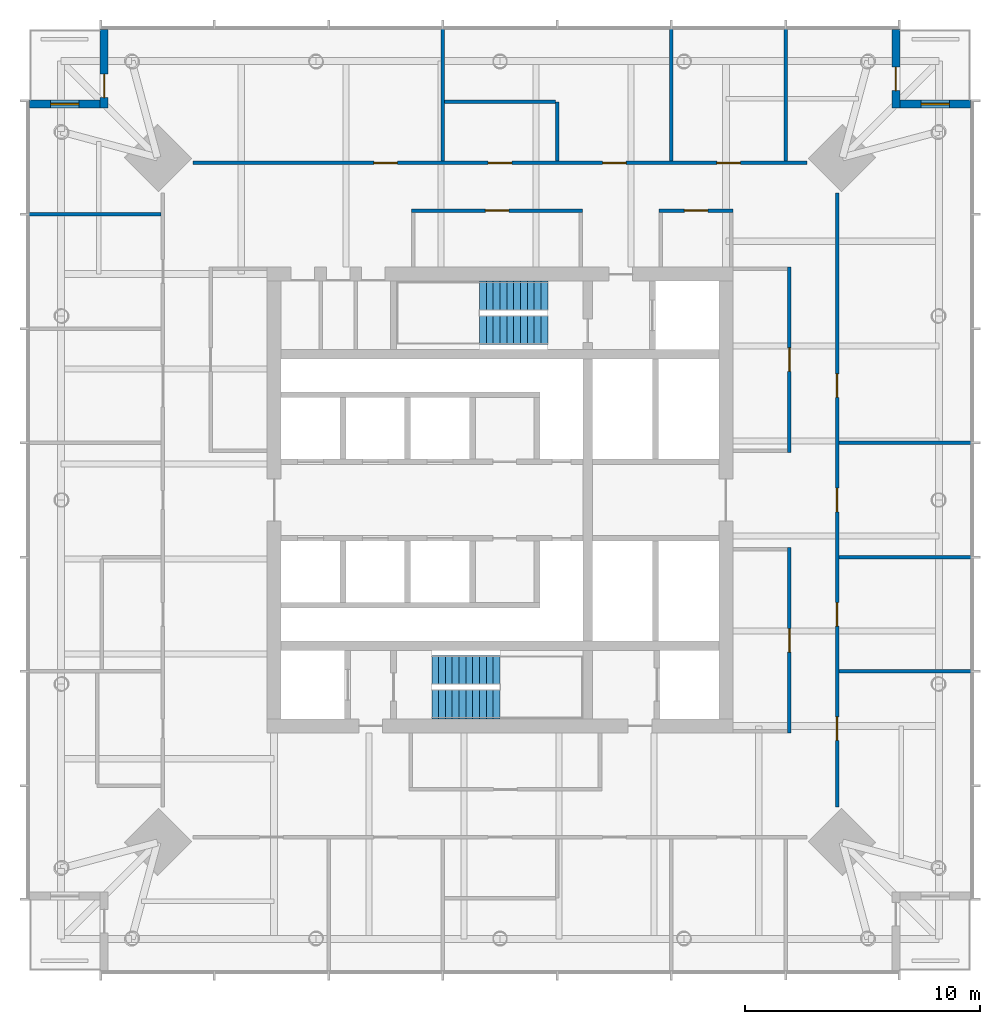
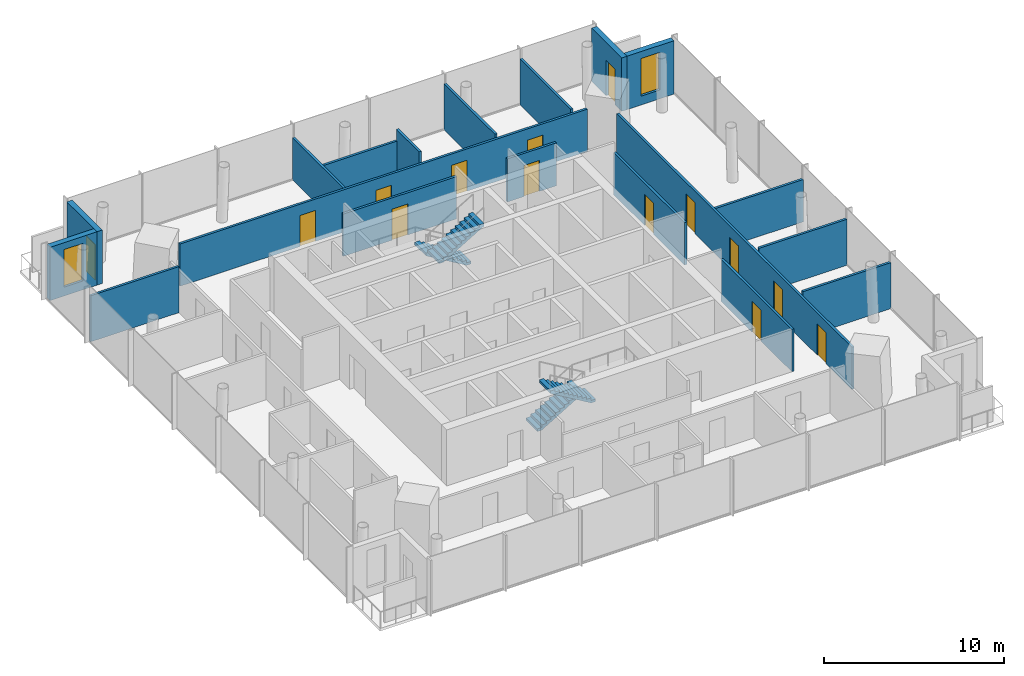
# One storey, part 6 of 7: 19 walls, 14 doors, 4 stair flights, 2 windows, 16 openings, 2 elements without a shape of their own.
"""IFC4 building model written with IfcOpenShell, lengths in metres."""

import ifcopenshell
import ifcopenshell.guid

model = None  # the IFC model being written
_history = None  # IfcOwnerHistory: only IFC2X3 demands one
_inside = {}  # id of a spatial element -> (the spatial element, [elements in it])
_under = {}  # id of a project, library or spatial element -> (it, [spatial elements below it])
_declared = {}  # id of a project -> (the project, [libraries it declares])
_typed = {}  # id of a type object -> (the type object, [elements of that type])
_made_of = {}  # id of a material, layer set ... -> (it, [elements and type objects made of it])


def new_model(schema):
    """Start an empty IFC model of exactly this schema.

    Asked for "IFC4X3", IfcOpenShell would pick the latest addendum, in which some entities
    have other attributes; the version numbers below select the first issue.
    IFC2X3 requires an IfcOwnerHistory on every rooted entity: one is made here for all.
    """
    global model, _history
    if schema == "IFC4X3":
        model = ifcopenshell.file(schema_version=(4, 3, 0, 0))
    else:
        model = ifcopenshell.file(schema=schema)
    _inside.clear()
    _under.clear()
    _declared.clear()
    _typed.clear()
    _made_of.clear()
    _history = None
    if model.schema == "IFC2X3":
        org = make("IfcOrganization", Name="unknown")
        user = make(
            "IfcPersonAndOrganization",
            ThePerson=make("IfcPerson", FamilyName="unknown"),
            TheOrganization=org,
        )
        app = make(
            "IfcApplication",
            ApplicationDeveloper=org,
            Version="unknown",
            ApplicationFullName="unknown",
            ApplicationIdentifier="unknown",
        )
        _history = make(
            "IfcOwnerHistory",
            OwningUser=user,
            OwningApplication=app,
            ChangeAction="ADDED",
            CreationDate=0,
        )
    return model


def make(cls, **values):
    """One entity of the class cls with the attributes given. An attribute that is None is left unset."""
    return model.create_entity(
        cls, **{name: value for name, value in values.items() if value is not None}
    )


def rooted(cls, **values):
    """An entity with a GlobalId (a new one), such as an element, a storey or a relation."""
    return make(cls, GlobalId=ifcopenshell.guid.new(), OwnerHistory=_history, **values)


def si_unit(unit_type, name, prefix=None):
    """IfcSIUnit, for example si_unit("LENGTHUNIT", "METRE", prefix="MILLI")."""
    return make("IfcSIUnit", UnitType=unit_type, Prefix=prefix, Name=name)


def assignment(units):
    """IfcUnitAssignment: the units of a project."""
    return None if units is None else make("IfcUnitAssignment", Units=units)


def point(xyz):
    """IfcCartesianPoint."""
    return None if xyz is None else make("IfcCartesianPoint", Coordinates=xyz)


def direction(xyz):
    """IfcDirection."""
    return None if xyz is None else make("IfcDirection", DirectionRatios=xyz)


def frame(location, z_axis=None, x_axis=None):
    """IfcAxis2Placement3D, a coordinate frame: its origin and axes. An axis left out is left unset."""
    return make(
        "IfcAxis2Placement3D",
        Location=point(location),
        Axis=direction(z_axis),
        RefDirection=direction(x_axis),
    )


def frame_2d(location, x_axis=None):
    """IfcAxis2Placement2D, a coordinate frame in the plane: its origin and x axis."""
    return make(
        "IfcAxis2Placement2D", Location=point(location), RefDirection=direction(x_axis)
    )


def origin():
    """The frame at (0, 0, 0) with its axes left unset."""
    return frame((0.0, 0.0, 0.0))


def place(relative_to, where):
    """IfcLocalPlacement: puts the frame where relative to a parent placement (None: the world)."""
    return make(
        "IfcLocalPlacement", PlacementRelTo=relative_to, RelativePlacement=where
    )


def context(
    kind, dimensions, precision=None, world=None, true_north=None, identifier=None
):
    """IfcGeometricRepresentationContext, for example the 3D "Model" context."""
    return make(
        "IfcGeometricRepresentationContext",
        ContextIdentifier=identifier,
        ContextType=kind,
        CoordinateSpaceDimension=dimensions,
        Precision=precision,
        WorldCoordinateSystem=world,
        TrueNorth=true_north,
    )


def subcontext(parent, identifier, kind, view, scale=None):
    """IfcGeometricRepresentationSubContext, for example "Body" below "Model"."""
    return make(
        "IfcGeometricRepresentationSubContext",
        ContextIdentifier=identifier,
        ContextType=kind,
        ParentContext=parent,
        TargetScale=scale,
        TargetView=view,
    )


def project(units=None, contexts=None):
    """IfcProject with its units and contexts."""
    return rooted(
        "IfcProject",
        Name="project",
        RepresentationContexts=contexts,
        UnitsInContext=assignment(units),
    )


def spatial(cls, under=None, at=None, **own):
    """A site, building, storey or space (cls), placed at a placement, below another one or the project."""
    s = rooted(cls, ObjectPlacement=at, **own)
    if under is not None:
        _under.setdefault(under.id(), (under, []))[1].append(s)
    return s


def polyline(points):
    """IfcPolyline through the points."""
    return make("IfcPolyline", Points=[point(p) for p in points])


def profile(cls, at=None, kind="AREA", **sizes):
    """A parametric profile (cls). Its sizes go by their IFC names, for example OverallWidth=200.0."""
    return make(cls, ProfileType=kind, Position=at, **sizes)


def rectangle(**sizes):
    """IfcRectangleProfileDef."""
    return profile("IfcRectangleProfileDef", **sizes)


def outline(outer, holes=None, kind="AREA"):
    """IfcArbitraryClosedProfileDef: a profile drawn as a closed curve; with holes, ...WithVoids."""
    if holes is None:
        return make("IfcArbitraryClosedProfileDef", ProfileType=kind, OuterCurve=outer)
    return make(
        "IfcArbitraryProfileDefWithVoids",
        ProfileType=kind,
        OuterCurve=outer,
        InnerCurves=holes,
    )


def extrude(swept, where, along, depth):
    """IfcExtrudedAreaSolid: the profile swept, set in the frame where, extruded along a direction by depth."""
    return make(
        "IfcExtrudedAreaSolid",
        SweptArea=swept,
        Position=where,
        ExtrudedDirection=direction(along),
        Depth=depth,
    )


def shape(context_of_items, identifier, shape_type, items):
    """IfcShapeRepresentation: the items that make up one representation, for example the "Body"."""
    return make(
        "IfcShapeRepresentation",
        ContextOfItems=context_of_items,
        RepresentationIdentifier=identifier,
        RepresentationType=shape_type,
        Items=items,
    )


def material(Name=None, Category=None):
    """IfcMaterial."""
    return make("IfcMaterial", Name=Name, Category=Category)


def layer(
    of_material, thickness, ventilated=None, Name=None, Category=None, Priority=None
):
    """IfcMaterialLayer: one layer of a wall or slab, of a material (None: an air gap)."""
    return make(
        "IfcMaterialLayer",
        Material=of_material,
        LayerThickness=thickness,
        IsVentilated=ventilated,
        Name=Name,
        Category=Category,
        Priority=Priority,
    )


def layer_set(layers, Name=None):
    """IfcMaterialLayerSet."""
    return make("IfcMaterialLayerSet", MaterialLayers=layers, LayerSetName=Name)


def made_of(thing, what):
    """Note that an element or type object is made of a material, layer set ...; save() writes the relation."""
    if what is not None:
        _made_of.setdefault(what.id(), (what, []))[1].append(thing)
    return thing


def type_object(cls, material=None, **own):
    """A type object (cls), such as IfcWallType, which elements share."""
    return made_of(rooted(cls, **own), material)


def element(
    cls,
    number,
    at=None,
    inside=None,
    cuts=None,
    type_object=None,
    material=None,
    context=None,
    identifier="Body",
    shape_type=None,
    held_by="IfcProductDefinitionShape",
    body=None,
    shapes=None,
    **own,
):
    """One element of the class cls, such as IfcWall. Its Tag is "e" and its number.

    at: its placement. inside: the storey or other place that contains it. cuts: it is an
    opening in that element (IfcRelVoidsElement). A single representation is given by context,
    identifier, shape_type and body (its items); several are given by shapes. held_by: the class
    of the entity that holds the representations. save() writes the other relations.
    """
    e = rooted(cls, Tag="e%d" % number, ObjectPlacement=at, **own)
    if body is not None:
        shapes = [shape(context, identifier, shape_type, body)]
    if shapes is not None:
        e.Representation = make(held_by, Representations=shapes)
    if inside is not None:
        _inside.setdefault(inside.id(), (inside, []))[1].append(e)
    if cuts is not None:
        rooted(
            "IfcRelVoidsElement", RelatingBuildingElement=cuts, RelatedOpeningElement=e
        )
    if type_object is not None:
        _typed.setdefault(type_object.id(), (type_object, []))[1].append(e)
    return made_of(e, material)


def fill(opening, filler):
    """IfcRelFillsElement: the door or window that sits in an opening."""
    return rooted(
        "IfcRelFillsElement",
        RelatingOpeningElement=opening,
        RelatedBuildingElement=filler,
    )


def aggregate(whole, parts):
    """IfcRelAggregates: a whole, such as a stair, and the parts it consists of."""
    return rooted("IfcRelAggregates", RelatingObject=whole, RelatedObjects=parts)


def save(model, path):
    """Write the relations noted so far, then the file.

    IfcRelAggregates (storeys below a building ...), IfcRelContainedInSpatialStructure (elements
    in a storey), IfcRelDefinesByType, IfcRelAssociatesMaterial and IfcRelDeclares: one each for
    every whole, place, type object, material and project.
    """
    for whole, parts in _under.values():
        aggregate(whole, parts)
    for where, things in _inside.values():
        rooted(
            "IfcRelContainedInSpatialStructure",
            RelatedElements=things,
            RelatingStructure=where,
        )
    for kind, things in _typed.values():
        rooted("IfcRelDefinesByType", RelatedObjects=things, RelatingType=kind)
    for what, things in _made_of.values():
        rooted("IfcRelAssociatesMaterial", RelatedObjects=things, RelatingMaterial=what)
    for by, libraries in _declared.values():
        rooted("IfcRelDeclares", RelatingContext=by, RelatedDefinitions=libraries)
    model.write(path)


model = new_model("IFC4")

# Units and contexts
model_context = context("Model", 3, precision=1e-05, world=origin(), true_north=direction((0.0, 1.0)))
body_context = subcontext(model_context, "Body", "Model", "MODEL_VIEW")
ifc_project = project(units=[si_unit("LENGTHUNIT", "METRE"), si_unit("AREAUNIT", "SQUARE_METRE"), si_unit("VOLUMEUNIT", "CUBIC_METRE"), si_unit("PLANEANGLEUNIT", "RADIAN"), si_unit("MASSUNIT", "GRAM", prefix="KILO")], contexts=[model_context])

# Site, building, storey
site_placement = place(None, origin())
site = spatial("IfcSite", under=ifc_project, at=site_placement, CompositionType="ELEMENT")
building_placement = place(site_placement, origin())
building = spatial("IfcBuilding", under=site, at=building_placement, Name="Ostroluk Exchange", CompositionType="ELEMENT")
storey_placement = place(building_placement, frame((0.0, 0.0, 188.199951171875)))
storey = spatial("IfcBuildingStorey", under=building, at=storey_placement, Name="L48", CompositionType="ELEMENT", Elevation=188.199951171875)

# Wall, opening, door
ifc_material_1 = material(Name="Limestone", Category="masonry")
ifc_layer_1 = layer(ifc_material_1, 0.35009765625)
ifc_layer_set_1 = layer_set([ifc_layer_1], Name="Limestone facade wall 350")
wall_type_1 = type_object("IfcWallType", Name="Limestone facade wall 350", PredefinedType="SOLIDWALL", material=ifc_layer_set_1)
wall_1_placement = place(storey_placement, frame((61.824951171875, 66.0, 0.0), z_axis=(0.0, 0.0, 1.0), x_axis=(0.0, -1.0, 0.0)))
wall_1 = element("IfcWall", 1, at=wall_1_placement, inside=storey, type_object=wall_type_1, Name="Office tower NE corner wall L48 a", PredefinedType="SOLIDWALL", context=body_context, shape_type="SweptSolid", body=[
    extrude(rectangle(XDim=3.35009765625, YDim=0.35009765625, at=frame_2d((1.675048828125, 0.0))), origin(), (0.0, 0.0, 1.0), 3.6201171875),
])
opening_1_placement = place(wall_1_placement, frame((1.60009765625, 0.0, 0.0)))
opening_1 = element("IfcOpeningElement", 2, at=opening_1_placement, cuts=wall_1, Name="Opening D-B1", PredefinedType="OPENING", context=body_context, shape_type="SweptSolid", body=[
    extrude(rectangle(XDim=1.0, YDim=2.39990234375, at=frame_2d((0.5, 1.199951171875))), frame((0.0, 0.18505859375, 0.0), z_axis=(0.0, -1.0, 0.0), x_axis=(1.0, 0.0, 0.0)), (0.0, 0.0, 1.0), 0.3701171875),
])
ifc_material_2 = material(Name="Bronze framed glazed door", Category="aluminium")
door_type_1 = type_object("IfcDoorType", Name="Balcony door 1000 x 2400", OperationType="SINGLE_SWING_LEFT", PredefinedType="DOOR", material=ifc_material_2)
door_1_placement = place(opening_1_placement, origin())
door_1 = element("IfcDoor", 3, at=door_1_placement, inside=storey, type_object=door_type_1, Name="Office tower NE balcony door L48", OperationType="SINGLE_SWING_RIGHT", OverallHeight=2.39990234375, OverallWidth=1.0, PredefinedType="DOOR", context=body_context, shape_type="SweptSolid", body=[
    extrude(rectangle(XDim=1.0, YDim=2.39990234375, at=frame_2d((0.5, 1.199951171875))), frame((0.0, 0.02490234375, 0.0), z_axis=(0.0, -1.0, 0.0), x_axis=(1.0, 0.0, 0.0)), (0.0, 0.0, 1.0), 0.050048828125),
])
fill(opening_1, door_1)

# Wall, opening, window
wall_2_placement = place(storey_placement, frame((62.0, 62.824951171875, 0.0), z_axis=(0.0, 0.0, 1.0), x_axis=(1.0, 0.0, 0.0)))
wall_2 = element("IfcWall", 4, at=wall_2_placement, inside=storey, type_object=wall_type_1, Name="Office tower NE corner wall L48 b", PredefinedType="SOLIDWALL", context=body_context, shape_type="SweptSolid", body=[
    extrude(rectangle(XDim=3.0, YDim=0.35009765625, at=frame_2d((1.5, 0.0))), origin(), (0.0, 0.0, 1.0), 3.6201171875),
])
opening_2_placement = place(wall_2_placement, frame((0.89990234375, 0.0, 0.60009765625)))
opening_2 = element("IfcOpeningElement", 5, at=opening_2_placement, cuts=wall_2, Name="Opening WN-L1", PredefinedType="OPENING", context=body_context, shape_type="SweptSolid", body=[
    extrude(rectangle(XDim=1.199951171875, YDim=2.550048828125, at=frame_2d((0.60009765625, 1.27490234375))), frame((0.0, 0.18505859375, 0.0), z_axis=(0.0, -1.0, 0.0), x_axis=(1.0, 0.0, 0.0)), (0.0, 0.0, 1.0), 0.3701171875),
])
ifc_material_3 = material(Name="Laminated clear glass", Category="glass")
window_type = type_object("IfcWindowType", Name="Lancet window 1200 x 2550", PartitioningType="SINGLE_PANEL", PredefinedType="WINDOW", material=ifc_material_3)
window_1_placement = place(opening_2_placement, origin())
window_1 = element("IfcWindow", 6, at=window_1_placement, inside=storey, type_object=window_type, Name="Office tower NE lancet window L48", OverallHeight=2.550048828125, OverallWidth=1.199951171875, PartitioningType="SINGLE_PANEL", PredefinedType="WINDOW", context=body_context, shape_type="SweptSolid", body=[
    extrude(rectangle(XDim=1.199951171875, YDim=2.550048828125, at=frame_2d((0.60009765625, 1.27490234375))), frame((0.0, 0.030029296875, 0.0), z_axis=(0.0, -1.0, 0.0), x_axis=(1.0, 0.0, 0.0)), (0.0, 0.0, 1.0), 0.06005859375),
])
fill(opening_2, window_1)

# Wall, opening, door
wall_3_placement = place(storey_placement, frame((28.175048828125, 66.0, 0.0), z_axis=(0.0, 0.0, 1.0), x_axis=(0.0, -1.0, 0.0)))
wall_3 = element("IfcWall", 7, at=wall_3_placement, inside=storey, type_object=wall_type_1, Name="Office tower NW corner wall L48 a", PredefinedType="SOLIDWALL", context=body_context, shape_type="SweptSolid", body=[
    extrude(rectangle(XDim=3.35009765625, YDim=0.35009765625, at=frame_2d((1.675048828125, 0.0))), origin(), (0.0, 0.0, 1.0), 3.6201171875),
])
opening_3_placement = place(wall_3_placement, frame((1.89990234375, 0.0, 0.0)))
opening_3 = element("IfcOpeningElement", 8, at=opening_3_placement, cuts=wall_3, Name="Opening D-B1", PredefinedType="OPENING", context=body_context, shape_type="SweptSolid", body=[
    extrude(rectangle(XDim=1.0, YDim=2.39990234375, at=frame_2d((0.5, 1.199951171875))), frame((0.0, 0.18505859375, 0.0), z_axis=(0.0, -1.0, 0.0), x_axis=(1.0, 0.0, 0.0)), (0.0, 0.0, 1.0), 0.3701171875),
])
door_2_placement = place(opening_3_placement, origin())
door_2 = element("IfcDoor", 9, at=door_2_placement, inside=storey, type_object=door_type_1, Name="Office tower NW balcony door L48", OperationType="SINGLE_SWING_RIGHT", OverallHeight=2.39990234375, OverallWidth=1.0, PredefinedType="DOOR", context=body_context, shape_type="SweptSolid", body=[
    extrude(rectangle(XDim=1.0, YDim=2.39990234375, at=frame_2d((0.5, 1.199951171875))), frame((0.0, 0.02490234375, 0.0), z_axis=(0.0, -1.0, 0.0), x_axis=(1.0, 0.0, 0.0)), (0.0, 0.0, 1.0), 0.050048828125),
])
fill(opening_3, door_2)

# Wall, opening, window
wall_4_placement = place(storey_placement, frame((28.0, 62.824951171875, 0.0), z_axis=(0.0, 0.0, 1.0), x_axis=(-1.0, 0.0, 0.0)))
wall_4 = element("IfcWall", 10, at=wall_4_placement, inside=storey, type_object=wall_type_1, Name="Office tower NW corner wall L48 b", PredefinedType="SOLIDWALL", context=body_context, shape_type="SweptSolid", body=[
    extrude(rectangle(XDim=3.0, YDim=0.35009765625, at=frame_2d((1.5, 0.0))), origin(), (0.0, 0.0, 1.0), 3.6201171875),
])
opening_4_placement = place(wall_4_placement, frame((0.89990234375, 0.0, 0.60009765625)))
opening_4 = element("IfcOpeningElement", 11, at=opening_4_placement, cuts=wall_4, Name="Opening WN-L1", PredefinedType="OPENING", context=body_context, shape_type="SweptSolid", body=[
    extrude(rectangle(XDim=1.199951171875, YDim=2.550048828125, at=frame_2d((0.60009765625, 1.27490234375))), frame((0.0, 0.18505859375, 0.0), z_axis=(0.0, -1.0, 0.0), x_axis=(1.0, 0.0, 0.0)), (0.0, 0.0, 1.0), 0.3701171875),
])
window_2_placement = place(opening_4_placement, origin())
window_2 = element("IfcWindow", 12, at=window_2_placement, inside=storey, type_object=window_type, Name="Office tower NW lancet window L48", OverallHeight=2.550048828125, OverallWidth=1.199951171875, PartitioningType="SINGLE_PANEL", PredefinedType="WINDOW", context=body_context, shape_type="SweptSolid", body=[
    extrude(rectangle(XDim=1.199951171875, YDim=2.550048828125, at=frame_2d((0.60009765625, 1.27490234375))), frame((0.0, 0.030029296875, 0.0), z_axis=(0.0, -1.0, 0.0), x_axis=(1.0, 0.0, 0.0)), (0.0, 0.0, 1.0), 0.06005859375),
])
fill(opening_4, window_2)

# Wall, opening, door
ifc_material_4 = material(Name="Gypsum plasterboard partition", Category="gypsum")
ifc_layer_2 = layer(ifc_material_4, 0.14990234375)
ifc_layer_set_2 = layer_set([ifc_layer_2], Name="Plasterboard partition 150")
wall_type_2 = type_object("IfcWallType", Name="Plasterboard partition 150", PredefinedType="PARTITIONING", material=ifc_layer_set_2)
wall_5_placement = place(storey_placement, frame((57.300048828125, 36.10009765625, 0.0), z_axis=(0.0, 0.0, 1.0), x_axis=(0.0, 1.0, 0.0)))
wall_5 = element("IfcWall", 13, at=wall_5_placement, inside=storey, type_object=wall_type_2, Name="Partition", PredefinedType="PARTITIONING", context=body_context, shape_type="SweptSolid", body=[
    extrude(rectangle(XDim=7.875, YDim=0.14990234375, at=frame_2d((3.9375, 0.0))), origin(), (0.0, 0.0, 1.0), 2.866943359375),
])
opening_5_placement = place(wall_5_placement, frame((3.4375, 0.0, 0.0)))
opening_5 = element("IfcOpeningElement", 14, at=opening_5_placement, cuts=wall_5, Name="Opening D-03", PredefinedType="OPENING", context=body_context, shape_type="SweptSolid", body=[
    extrude(rectangle(XDim=1.0, YDim=2.10009765625, at=frame_2d((0.5, 1.050048828125))), frame((0.0, 0.0849609375, 0.0), z_axis=(0.0, -1.0, 0.0), x_axis=(1.0, 0.0, 0.0)), (0.0, 0.0, 1.0), 0.169921875),
])
ifc_material_5 = material(Name="Timber", Category="wood")
door_type_2 = type_object("IfcDoorType", Name="Internal door 1000 x 2100", OperationType="SINGLE_SWING_LEFT", PredefinedType="DOOR", material=ifc_material_5)
door_3_placement = place(opening_5_placement, origin())
door_3 = element("IfcDoor", 15, at=door_3_placement, inside=storey, type_object=door_type_2, Name="Tea point door", OperationType="SINGLE_SWING_LEFT", OverallHeight=2.10009765625, OverallWidth=1.0, PredefinedType="DOOR", context=body_context, shape_type="SweptSolid", body=[
    extrude(rectangle(XDim=1.0, YDim=2.10009765625, at=frame_2d((0.5, 1.050048828125))), frame((0.0, 0.02490234375, 0.0), z_axis=(0.0, -1.0, 0.0), x_axis=(1.0, 0.0, 0.0)), (0.0, 0.0, 1.0), 0.050048828125),
])
fill(opening_5, door_3)

wall_6_placement = place(storey_placement, frame((57.300048828125, 48.02490234375, 0.0), z_axis=(0.0, 0.0, 1.0), x_axis=(0.0, 1.0, 0.0)))
wall_6 = element("IfcWall", 16, at=wall_6_placement, inside=storey, type_object=wall_type_2, Name="Partition", PredefinedType="PARTITIONING", context=body_context, shape_type="SweptSolid", body=[
    extrude(rectangle(XDim=7.875, YDim=0.14990234375, at=frame_2d((3.9375, 0.0))), origin(), (0.0, 0.0, 1.0), 2.866943359375),
])
opening_6_placement = place(wall_6_placement, frame((3.4375, 0.0, 0.0)))
opening_6 = element("IfcOpeningElement", 17, at=opening_6_placement, cuts=wall_6, Name="Opening D-03", PredefinedType="OPENING", context=body_context, shape_type="SweptSolid", body=[
    extrude(rectangle(XDim=1.0, YDim=2.10009765625, at=frame_2d((0.5, 1.050048828125))), frame((0.0, 0.0849609375, 0.0), z_axis=(0.0, -1.0, 0.0), x_axis=(1.0, 0.0, 0.0)), (0.0, 0.0, 1.0), 0.169921875),
])
door_4_placement = place(opening_6_placement, origin())
door_4 = element("IfcDoor", 18, at=door_4_placement, inside=storey, type_object=door_type_2, Name="Tea point door", OperationType="SINGLE_SWING_LEFT", OverallHeight=2.10009765625, OverallWidth=1.0, PredefinedType="DOOR", context=body_context, shape_type="SweptSolid", body=[
    extrude(rectangle(XDim=1.0, YDim=2.10009765625, at=frame_2d((0.5, 1.050048828125))), frame((0.0, 0.02490234375, 0.0), z_axis=(0.0, -1.0, 0.0), x_axis=(1.0, 0.0, 0.0)), (0.0, 0.0, 1.0), 0.050048828125),
])
fill(opening_6, door_4)

wall_7_placement = place(storey_placement, frame((54.89990234375, 58.300048828125, 0.0), z_axis=(0.0, 0.0, 1.0), x_axis=(-1.0, 0.0, 0.0)))
wall_7 = element("IfcWall", 19, at=wall_7_placement, inside=storey, type_object=wall_type_2, Name="Partition", PredefinedType="PARTITIONING", context=body_context, shape_type="SweptSolid", body=[
    extrude(rectangle(XDim=3.135009765625, YDim=0.14990234375, at=frame_2d((1.5673828125, 0.0))), origin(), (0.0, 0.0, 1.0), 2.920166015625),
])
opening_7_placement = place(wall_7_placement, frame((1.0673828125, 0.0, 0.0)))
opening_7 = element("IfcOpeningElement", 20, at=opening_7_placement, cuts=wall_7, Name="Opening D-03", PredefinedType="OPENING", context=body_context, shape_type="SweptSolid", body=[
    extrude(rectangle(XDim=1.0, YDim=2.10009765625, at=frame_2d((0.5, 1.050048828125))), frame((0.0, 0.0849609375, 0.0), z_axis=(0.0, -1.0, 0.0), x_axis=(1.0, 0.0, 0.0)), (0.0, 0.0, 1.0), 0.169921875),
])
door_5_placement = place(opening_7_placement, origin())
door_5 = element("IfcDoor", 21, at=door_5_placement, inside=storey, type_object=door_type_2, Name="Tea point door", OperationType="SINGLE_SWING_RIGHT", OverallHeight=2.10009765625, OverallWidth=1.0, PredefinedType="DOOR", context=body_context, shape_type="SweptSolid", body=[
    extrude(rectangle(XDim=1.0, YDim=2.10009765625, at=frame_2d((0.5, 1.050048828125))), frame((0.0, 0.02490234375, 0.0), z_axis=(0.0, -1.0, 0.0), x_axis=(1.0, 0.0, 0.0)), (0.0, 0.0, 1.0), 0.050048828125),
])
fill(opening_7, door_5)

wall_8_placement = place(storey_placement, frame((48.514892578125, 58.300048828125, 0.0), z_axis=(0.0, 0.0, 1.0), x_axis=(-1.0, 0.0, 0.0)))
wall_8 = element("IfcWall", 22, at=wall_8_placement, inside=storey, type_object=wall_type_2, Name="Partition", PredefinedType="PARTITIONING", context=body_context, shape_type="SweptSolid", body=[
    extrude(rectangle(XDim=7.27783203125, YDim=0.14990234375, at=frame_2d((3.638916015625, 0.0))), origin(), (0.0, 0.0, 1.0), 2.866943359375),
])
opening_8_placement = place(wall_8_placement, frame((3.138916015625, 0.0, 0.0)))
opening_8 = element("IfcOpeningElement", 23, at=opening_8_placement, cuts=wall_8, Name="Opening D-03", PredefinedType="OPENING", context=body_context, shape_type="SweptSolid", body=[
    extrude(rectangle(XDim=1.0, YDim=2.10009765625, at=frame_2d((0.5, 1.050048828125))), frame((0.0, 0.0849609375, 0.0), z_axis=(0.0, -1.0, 0.0), x_axis=(1.0, 0.0, 0.0)), (0.0, 0.0, 1.0), 0.169921875),
])
door_6_placement = place(opening_8_placement, origin())
door_6 = element("IfcDoor", 24, at=door_6_placement, inside=storey, type_object=door_type_2, Name="Tea point door", OperationType="SINGLE_SWING_RIGHT", OverallHeight=2.10009765625, OverallWidth=1.0, PredefinedType="DOOR", context=body_context, shape_type="SweptSolid", body=[
    extrude(rectangle(XDim=1.0, YDim=2.10009765625, at=frame_2d((0.5, 1.050048828125))), frame((0.0, 0.02490234375, 0.0), z_axis=(0.0, -1.0, 0.0), x_axis=(1.0, 0.0, 0.0)), (0.0, 0.0, 1.0), 0.050048828125),
])
fill(opening_8, door_6)

# Wall, openings, doors
wall_9_placement = place(storey_placement, frame((59.324951171875, 32.94287109375, 0.0), z_axis=(0.0, 0.0, 1.0), x_axis=(0.0, 1.0, 0.0)))
wall_9 = element("IfcWall", 25, at=wall_9_placement, inside=storey, type_object=wall_type_2, Name="Partition", PredefinedType="PARTITIONING", context=body_context, shape_type="SweptSolid", body=[
    extrude(rectangle(XDim=26.1142578125, YDim=0.14990234375, at=frame_2d((13.05712890625, 0.0))), origin(), (0.0, 0.0, 1.0), 2.866943359375),
])
opening_9_placement = place(wall_9_placement, frame((2.843017578125, 0.0, 0.0)))
opening_9 = element("IfcOpeningElement", 26, at=opening_9_placement, cuts=wall_9, Name="Opening D-03", PredefinedType="OPENING", context=body_context, shape_type="SweptSolid", body=[
    extrude(rectangle(XDim=1.0, YDim=2.10009765625, at=frame_2d((0.5, 1.050048828125))), frame((0.0, 0.0849609375, 0.0), z_axis=(0.0, -1.0, 0.0), x_axis=(1.0, 0.0, 0.0)), (0.0, 0.0, 1.0), 0.169921875),
])
opening_10_placement = place(wall_9_placement, frame((7.699951171875, 0.0, 0.0)))
opening_10 = element("IfcOpeningElement", 27, at=opening_10_placement, cuts=wall_9, Name="Opening D-03", PredefinedType="OPENING", context=body_context, shape_type="SweptSolid", body=[
    extrude(rectangle(XDim=1.0, YDim=2.10009765625, at=frame_2d((0.5, 1.050048828125))), frame((0.0, 0.0849609375, 0.0), z_axis=(0.0, -1.0, 0.0), x_axis=(1.0, 0.0, 0.0)), (0.0, 0.0, 1.0), 0.169921875),
])
opening_11_placement = place(wall_9_placement, frame((12.55712890625, 0.0, 0.0)))
opening_11 = element("IfcOpeningElement", 28, at=opening_11_placement, cuts=wall_9, Name="Opening D-03", PredefinedType="OPENING", context=body_context, shape_type="SweptSolid", body=[
    extrude(rectangle(XDim=1.0, YDim=2.10009765625, at=frame_2d((0.5, 1.050048828125))), frame((0.0, 0.0849609375, 0.0), z_axis=(0.0, -1.0, 0.0), x_axis=(1.0, 0.0, 0.0)), (0.0, 0.0, 1.0), 0.169921875),
])
opening_12_placement = place(wall_9_placement, frame((17.414306640625, 0.0, 0.0)))
opening_12 = element("IfcOpeningElement", 29, at=opening_12_placement, cuts=wall_9, Name="Opening D-03", PredefinedType="OPENING", context=body_context, shape_type="SweptSolid", body=[
    extrude(rectangle(XDim=1.0, YDim=2.10009765625, at=frame_2d((0.5, 1.050048828125))), frame((0.0, 0.0849609375, 0.0), z_axis=(0.0, -1.0, 0.0), x_axis=(1.0, 0.0, 0.0)), (0.0, 0.0, 1.0), 0.169921875),
])
door_7_placement = place(opening_9_placement, origin())
door_7 = element("IfcDoor", 30, at=door_7_placement, inside=storey, type_object=door_type_2, Name="Office suite door", OperationType="SINGLE_SWING_LEFT", OverallHeight=2.10009765625, OverallWidth=1.0, PredefinedType="DOOR", context=body_context, shape_type="SweptSolid", body=[
    extrude(rectangle(XDim=1.0, YDim=2.10009765625, at=frame_2d((0.5, 1.050048828125))), frame((0.0, 0.02490234375, 0.0), z_axis=(0.0, -1.0, 0.0), x_axis=(1.0, 0.0, 0.0)), (0.0, 0.0, 1.0), 0.050048828125),
])
fill(opening_9, door_7)
door_8_placement = place(opening_10_placement, origin())
door_8 = element("IfcDoor", 31, at=door_8_placement, inside=storey, type_object=door_type_2, Name="Office door", OperationType="SINGLE_SWING_LEFT", OverallHeight=2.10009765625, OverallWidth=1.0, PredefinedType="DOOR", context=body_context, shape_type="SweptSolid", body=[
    extrude(rectangle(XDim=1.0, YDim=2.10009765625, at=frame_2d((0.5, 1.050048828125))), frame((0.0, 0.02490234375, 0.0), z_axis=(0.0, -1.0, 0.0), x_axis=(1.0, 0.0, 0.0)), (0.0, 0.0, 1.0), 0.050048828125),
])
fill(opening_10, door_8)
door_9_placement = place(opening_11_placement, origin())
door_9 = element("IfcDoor", 32, at=door_9_placement, inside=storey, type_object=door_type_2, Name="Meeting room door", OperationType="SINGLE_SWING_LEFT", OverallHeight=2.10009765625, OverallWidth=1.0, PredefinedType="DOOR", context=body_context, shape_type="SweptSolid", body=[
    extrude(rectangle(XDim=1.0, YDim=2.10009765625, at=frame_2d((0.5, 1.050048828125))), frame((0.0, 0.02490234375, 0.0), z_axis=(0.0, -1.0, 0.0), x_axis=(1.0, 0.0, 0.0)), (0.0, 0.0, 1.0), 0.050048828125),
])
fill(opening_11, door_9)
door_10_placement = place(opening_12_placement, origin())
door_10 = element("IfcDoor", 33, at=door_10_placement, inside=storey, type_object=door_type_2, Name="Office door", OperationType="SINGLE_SWING_RIGHT", OverallHeight=2.10009765625, OverallWidth=1.0, PredefinedType="DOOR", context=body_context, shape_type="SweptSolid", body=[
    extrude(rectangle(XDim=1.0, YDim=2.10009765625, at=frame_2d((0.5, 1.050048828125))), frame((0.0, 0.02490234375, 0.0), z_axis=(0.0, -1.0, 0.0), x_axis=(1.0, 0.0, 0.0)), (0.0, 0.0, 1.0), 0.050048828125),
])
fill(opening_12, door_10)

# Walls
for number, where, z_axis, x_axis, name in (
    (34, (59.39990234375, 38.71435546875, 0.0), (0.0, 0.0, 1.0), (1.0, 0.0, 0.0), "Partition"),
    (35, (59.39990234375, 43.571533203125, 0.0), (0.0, 0.0, 1.0), (1.0, 0.0, 0.0), "Partition"),
):
    element("IfcWall", number, at=place(storey_placement, frame(where, z_axis=z_axis, x_axis=x_axis)), inside=storey, type_object=wall_type_2, Name=name, PredefinedType="PARTITIONING", context=body_context, shape_type="SweptSolid", body=[
        extrude(rectangle(XDim=5.64013671875, YDim=0.14990234375, at=frame_2d((2.820068359375, 0.0))), origin(), (0.0, 0.0, 1.0), 3.1201171875),
    ])
wall_10_placement = place(storey_placement, frame((59.39990234375, 48.428466796875, 0.0), z_axis=(0.0, 0.0, 1.0), x_axis=(1.0, 0.0, 0.0)))
element("IfcWall", 36, at=wall_10_placement, inside=storey, type_object=wall_type_2, Name="Partition", PredefinedType="PARTITIONING", context=body_context, shape_type="SweptSolid", body=[
    extrude(rectangle(XDim=5.64013671875, YDim=0.14990234375, at=frame_2d((2.820068359375, 0.0))), origin(), (0.0, 0.0, 1.0), 2.866943359375),
])
wall_11_placement = place(storey_placement, frame((47.353515625, 62.925048828125, 0.0), z_axis=(0.0, 0.0, 1.0), x_axis=(-1.0, 0.0, 0.0)))
element("IfcWall", 37, at=wall_11_placement, inside=storey, type_object=wall_type_2, Name="Partition", PredefinedType="PARTITIONING", context=body_context, shape_type="SweptSolid", body=[
    extrude(rectangle(XDim=4.70703125, YDim=0.14990234375, at=frame_2d((2.353515625, 0.0))), origin(), (0.0, 0.0, 1.0), 2.866943359375),
])

# Wall, openings, doors
wall_12_placement = place(storey_placement, frame((58.05712890625, 60.324951171875, 0.0), z_axis=(0.0, 0.0, 1.0), x_axis=(-1.0, 0.0, 0.0)))
wall_12 = element("IfcWall", 38, at=wall_12_placement, inside=storey, type_object=wall_type_2, Name="Partition", PredefinedType="PARTITIONING", context=body_context, shape_type="SweptSolid", body=[
    extrude(rectangle(XDim=26.1142578125, YDim=0.14990234375, at=frame_2d((13.05712890625, 0.0))), origin(), (0.0, 0.0, 1.0), 2.866943359375),
])
opening_13_placement = place(wall_12_placement, frame((2.843017578125, 0.0, 0.0)))
opening_13 = element("IfcOpeningElement", 39, at=opening_13_placement, cuts=wall_12, Name="Opening D-03", PredefinedType="OPENING", context=body_context, shape_type="SweptSolid", body=[
    extrude(rectangle(XDim=1.0, YDim=2.10009765625, at=frame_2d((0.5, 1.050048828125))), frame((0.0, 0.0849609375, 0.0), z_axis=(0.0, -1.0, 0.0), x_axis=(1.0, 0.0, 0.0)), (0.0, 0.0, 1.0), 0.169921875),
])
opening_14_placement = place(wall_12_placement, frame((7.699951171875, 0.0, 0.0)))
opening_14 = element("IfcOpeningElement", 40, at=opening_14_placement, cuts=wall_12, Name="Opening D-03", PredefinedType="OPENING", context=body_context, shape_type="SweptSolid", body=[
    extrude(rectangle(XDim=1.0, YDim=2.10009765625, at=frame_2d((0.5, 1.050048828125))), frame((0.0, 0.0849609375, 0.0), z_axis=(0.0, -1.0, 0.0), x_axis=(1.0, 0.0, 0.0)), (0.0, 0.0, 1.0), 0.169921875),
])
opening_15_placement = place(wall_12_placement, frame((12.55712890625, 0.0, 0.0)))
opening_15 = element("IfcOpeningElement", 41, at=opening_15_placement, cuts=wall_12, Name="Opening D-03", PredefinedType="OPENING", context=body_context, shape_type="SweptSolid", body=[
    extrude(rectangle(XDim=1.0, YDim=2.10009765625, at=frame_2d((0.5, 1.050048828125))), frame((0.0, 0.0849609375, 0.0), z_axis=(0.0, -1.0, 0.0), x_axis=(1.0, 0.0, 0.0)), (0.0, 0.0, 1.0), 0.169921875),
])
opening_16_placement = place(wall_12_placement, frame((17.414306640625, 0.0, 0.0)))
opening_16 = element("IfcOpeningElement", 42, at=opening_16_placement, cuts=wall_12, Name="Opening D-03", PredefinedType="OPENING", context=body_context, shape_type="SweptSolid", body=[
    extrude(rectangle(XDim=1.0, YDim=2.10009765625, at=frame_2d((0.5, 1.050048828125))), frame((0.0, 0.0849609375, 0.0), z_axis=(0.0, -1.0, 0.0), x_axis=(1.0, 0.0, 0.0)), (0.0, 0.0, 1.0), 0.169921875),
])
door_11_placement = place(opening_13_placement, origin())
door_11 = element("IfcDoor", 43, at=door_11_placement, inside=storey, type_object=door_type_2, Name="Office door", OperationType="SINGLE_SWING_LEFT", OverallHeight=2.10009765625, OverallWidth=1.0, PredefinedType="DOOR", context=body_context, shape_type="SweptSolid", body=[
    extrude(rectangle(XDim=1.0, YDim=2.10009765625, at=frame_2d((0.5, 1.050048828125))), frame((0.0, 0.02490234375, 0.0), z_axis=(0.0, -1.0, 0.0), x_axis=(1.0, 0.0, 0.0)), (0.0, 0.0, 1.0), 0.050048828125),
])
fill(opening_13, door_11)
door_12_placement = place(opening_14_placement, origin())
door_12 = element("IfcDoor", 44, at=door_12_placement, inside=storey, type_object=door_type_2, Name="Office door", OperationType="SINGLE_SWING_LEFT", OverallHeight=2.10009765625, OverallWidth=1.0, PredefinedType="DOOR", context=body_context, shape_type="SweptSolid", body=[
    extrude(rectangle(XDim=1.0, YDim=2.10009765625, at=frame_2d((0.5, 1.050048828125))), frame((0.0, 0.02490234375, 0.0), z_axis=(0.0, -1.0, 0.0), x_axis=(1.0, 0.0, 0.0)), (0.0, 0.0, 1.0), 0.050048828125),
])
fill(opening_14, door_12)
door_13_placement = place(opening_15_placement, origin())
door_13 = element("IfcDoor", 45, at=door_13_placement, inside=storey, type_object=door_type_2, Name="Pantry door", OperationType="SINGLE_SWING_LEFT", OverallHeight=2.10009765625, OverallWidth=1.0, PredefinedType="DOOR", context=body_context, shape_type="SweptSolid", body=[
    extrude(rectangle(XDim=1.0, YDim=2.10009765625, at=frame_2d((0.5, 1.050048828125))), frame((0.0, 0.02490234375, 0.0), z_axis=(0.0, -1.0, 0.0), x_axis=(1.0, 0.0, 0.0)), (0.0, 0.0, 1.0), 0.050048828125),
])
fill(opening_15, door_13)
door_14_placement = place(opening_16_placement, origin())
door_14 = element("IfcDoor", 46, at=door_14_placement, inside=storey, type_object=door_type_2, Name="Office door", OperationType="SINGLE_SWING_RIGHT", OverallHeight=2.10009765625, OverallWidth=1.0, PredefinedType="DOOR", context=body_context, shape_type="SweptSolid", body=[
    extrude(rectangle(XDim=1.0, YDim=2.10009765625, at=frame_2d((0.5, 1.050048828125))), frame((0.0, 0.02490234375, 0.0), z_axis=(0.0, -1.0, 0.0), x_axis=(1.0, 0.0, 0.0)), (0.0, 0.0, 1.0), 0.050048828125),
])
fill(opening_16, door_14)

# Walls
for number, where, z_axis, x_axis, name in (
    (47, (57.142822265625, 60.39990234375, 0.0), (0.0, 0.0, 1.0), (0.0, 1.0, 0.0), "Partition"),
    (48, (52.28564453125, 60.39990234375, 0.0), (0.0, 0.0, 1.0), (0.0, 1.0, 0.0), "Partition"),
):
    element("IfcWall", number, at=place(storey_placement, frame(where, z_axis=z_axis, x_axis=x_axis)), inside=storey, type_object=wall_type_2, Name=name, PredefinedType="PARTITIONING", context=body_context, shape_type="SweptSolid", body=[
        extrude(rectangle(XDim=5.64013671875, YDim=0.14990234375, at=frame_2d((2.820068359375, 0.0))), origin(), (0.0, 0.0, 1.0), 3.1201171875),
    ])
wall_13_placement = place(storey_placement, frame((47.428466796875, 60.39990234375, 0.0), z_axis=(0.0, 0.0, 1.0), x_axis=(0.0, 1.0, 0.0)))
element("IfcWall", 49, at=wall_13_placement, inside=storey, type_object=wall_type_2, Name="Partition", PredefinedType="PARTITIONING", context=body_context, shape_type="SweptSolid", body=[
    extrude(rectangle(XDim=2.525146484375, YDim=0.14990234375, at=frame_2d((1.2626953125, 0.0))), origin(), (0.0, 0.0, 1.0), 3.6201171875),
])
wall_14_placement = place(storey_placement, frame((42.571533203125, 60.39990234375, 0.0), z_axis=(0.0, 0.0, 1.0), x_axis=(0.0, 1.0, 0.0)))
element("IfcWall", 50, at=wall_14_placement, inside=storey, type_object=wall_type_2, Name="Partition", PredefinedType="PARTITIONING", context=body_context, shape_type="SweptSolid", body=[
    extrude(rectangle(XDim=5.64013671875, YDim=0.14990234375, at=frame_2d((2.820068359375, 0.0))), origin(), (0.0, 0.0, 1.0), 2.866943359375),
])
wall_15_placement = place(storey_placement, frame((30.60009765625, 58.142822265625, 0.0), z_axis=(0.0, 0.0, 1.0), x_axis=(-1.0, 0.0, 0.0)))
element("IfcWall", 51, at=wall_15_placement, inside=storey, type_object=wall_type_2, Name="Partition", PredefinedType="PARTITIONING", context=body_context, shape_type="SweptSolid", body=[
    extrude(rectangle(XDim=5.64013671875, YDim=0.14990234375, at=frame_2d((2.820068359375, 0.0))), origin(), (0.0, 0.0, 1.0), 3.1201171875),
])

# Stair, stair flights
ifc_material_6 = material(Name="Concrete C30/37", Category="concrete")
stair_type = type_object("IfcStairType", Name="Exit stair half turn 3800", PredefinedType="HALF_TURN_STAIR", material=ifc_material_6)
stair_1_placement = place(storey_placement, origin())
stair_1 = element("IfcStair", 52, at=stair_1_placement, inside=storey, type_object=stair_type, Name="Stair T1-S1 L48", PredefinedType="HALF_TURN_STAIR")
ifc_material_7 = material(Name="Concrete C30/37", Category="concrete")
stair_flight_type = type_object("IfcStairFlightType", Name="Stair flight 11 risers 172.7 x 290", PredefinedType="STRAIGHT", material=ifc_material_7)
stair_flight_1_placement = place(storey_placement, frame((42.10009765625, 38.77490234375, 0.0), z_axis=(0.0, 0.0, 1.0), x_axis=(1.0, 0.0, 0.0)))
stair_flight_1 = element("IfcStairFlight", 53, at=stair_flight_1_placement, type_object=stair_flight_type, Name="T1-S1 flight 1", NumberOfRisers=11, NumberOfTreads=10, PredefinedType="STRAIGHT", RiserHeight=0.172727273, TreadLength=0.29, context=body_context, shape_type="SweptSolid", body=[
    extrude(outline(polyline([(0.0, 0.0), (0.0, 0.172607421875), (0.2900390625, 0.172607421875), (0.2900390625, 0.345458984375), (0.580078125, 0.345458984375), (0.580078125, 0.51806640625), (0.8701171875, 0.51806640625), (0.8701171875, 0.69091796875), (1.159912109375, 0.69091796875), (1.159912109375, 0.863525390625), (1.449951171875, 0.863525390625), (1.449951171875, 1.036376953125), (1.739990234375, 1.036376953125), (1.739990234375, 1.208984375), (2.030029296875, 1.208984375), (2.030029296875, 1.3818359375), (2.320068359375, 1.3818359375), (2.320068359375, 1.554443359375), (2.610107421875, 1.554443359375), (2.610107421875, 1.727294921875), (2.89990234375, 1.727294921875), (2.89990234375, 1.89990234375), (2.89990234375, 1.552734375), (0.29296875, 0.0), (0.0, 0.0)])), frame((0.0, 0.625, 0.0), z_axis=(0.0, -1.0, 0.0), x_axis=(1.0, 0.0, 0.0)), (0.0, 0.0, 1.0), 1.25),
])
stair_flight_2_placement = place(storey_placement, frame((45.0, 37.324951171875, 1.900146484375), z_axis=(0.0, 0.0, 1.0), x_axis=(-1.0, 0.0, 0.0)))
stair_flight_2 = element("IfcStairFlight", 54, at=stair_flight_2_placement, type_object=stair_flight_type, Name="T1-S1 flight 2", NumberOfRisers=11, NumberOfTreads=10, PredefinedType="STRAIGHT", RiserHeight=0.172727273, TreadLength=0.29, context=body_context, shape_type="SweptSolid", body=[
    extrude(outline(polyline([(0.0, 0.0), (0.0, 0.172607421875), (0.2900390625, 0.172607421875), (0.2900390625, 0.345458984375), (0.580078125, 0.345458984375), (0.580078125, 0.51806640625), (0.8701171875, 0.51806640625), (0.8701171875, 0.69091796875), (1.159912109375, 0.69091796875), (1.159912109375, 0.863525390625), (1.449951171875, 0.863525390625), (1.449951171875, 1.036376953125), (1.739990234375, 1.036376953125), (1.739990234375, 1.208984375), (2.030029296875, 1.208984375), (2.030029296875, 1.3818359375), (2.320068359375, 1.3818359375), (2.320068359375, 1.554443359375), (2.610107421875, 1.554443359375), (2.610107421875, 1.727294921875), (2.89990234375, 1.727294921875), (2.89990234375, 1.89990234375), (2.89990234375, 1.552734375), (0.29296875, 0.0), (0.0, 0.0)])), frame((0.0, 0.625, 0.0), z_axis=(0.0, -1.0, 0.0), x_axis=(1.0, 0.0, 0.0)), (0.0, 0.0, 1.0), 1.25),
])
aggregate(stair_1, [stair_flight_1, stair_flight_2])

stair_2_placement = place(storey_placement, origin())
stair_2 = element("IfcStair", 55, at=stair_2_placement, inside=storey, type_object=stair_type, Name="Stair T1-S2 L48", PredefinedType="HALF_TURN_STAIR")
stair_flight_3_placement = place(storey_placement, frame((47.030029296875, 54.675048828125, 0.0), z_axis=(0.0, 0.0, 1.0), x_axis=(-1.0, 0.0, 0.0)))
stair_flight_3 = element("IfcStairFlight", 56, at=stair_flight_3_placement, type_object=stair_flight_type, Name="T1-S2 flight 1", NumberOfRisers=11, NumberOfTreads=10, PredefinedType="STRAIGHT", RiserHeight=0.172727273, TreadLength=0.29, context=body_context, shape_type="SweptSolid", body=[
    extrude(outline(polyline([(0.0, 0.0), (0.0, 0.172607421875), (0.2900390625, 0.172607421875), (0.2900390625, 0.345458984375), (0.580078125, 0.345458984375), (0.580078125, 0.51806640625), (0.8701171875, 0.51806640625), (0.8701171875, 0.69091796875), (1.159912109375, 0.69091796875), (1.159912109375, 0.863525390625), (1.449951171875, 0.863525390625), (1.449951171875, 1.036376953125), (1.739990234375, 1.036376953125), (1.739990234375, 1.208984375), (2.030029296875, 1.208984375), (2.030029296875, 1.3818359375), (2.320068359375, 1.3818359375), (2.320068359375, 1.554443359375), (2.610107421875, 1.554443359375), (2.610107421875, 1.727294921875), (2.89990234375, 1.727294921875), (2.89990234375, 1.89990234375), (2.89990234375, 1.552734375), (0.29296875, 0.0), (0.0, 0.0)])), frame((0.0, 0.625, 0.0), z_axis=(0.0, -1.0, 0.0), x_axis=(1.0, 0.0, 0.0)), (0.0, 0.0, 1.0), 1.25),
])
stair_flight_4_placement = place(storey_placement, frame((44.1298828125, 53.22509765625, 1.900146484375), z_axis=(0.0, 0.0, 1.0), x_axis=(1.0, 0.0, 0.0)))
stair_flight_4 = element("IfcStairFlight", 57, at=stair_flight_4_placement, type_object=stair_flight_type, Name="T1-S2 flight 2", NumberOfRisers=11, NumberOfTreads=10, PredefinedType="STRAIGHT", RiserHeight=0.172727273, TreadLength=0.29, context=body_context, shape_type="SweptSolid", body=[
    extrude(outline(polyline([(0.0, 0.0), (0.0, 0.172607421875), (0.2900390625, 0.172607421875), (0.2900390625, 0.345458984375), (0.580078125, 0.345458984375), (0.580078125, 0.51806640625), (0.8701171875, 0.51806640625), (0.8701171875, 0.69091796875), (1.159912109375, 0.69091796875), (1.159912109375, 0.863525390625), (1.449951171875, 0.863525390625), (1.449951171875, 1.036376953125), (1.739990234375, 1.036376953125), (1.739990234375, 1.208984375), (2.030029296875, 1.208984375), (2.030029296875, 1.3818359375), (2.320068359375, 1.3818359375), (2.320068359375, 1.554443359375), (2.610107421875, 1.554443359375), (2.610107421875, 1.727294921875), (2.89990234375, 1.727294921875), (2.89990234375, 1.89990234375), (2.89990234375, 1.552734375), (0.29296875, 0.0), (0.0, 0.0)])), frame((0.0, 0.625, 0.0), z_axis=(0.0, -1.0, 0.0), x_axis=(1.0, 0.0, 0.0)), (0.0, 0.0, 1.0), 1.25),
])
aggregate(stair_2, [stair_flight_3, stair_flight_4])

save(model, "model.ifc")
